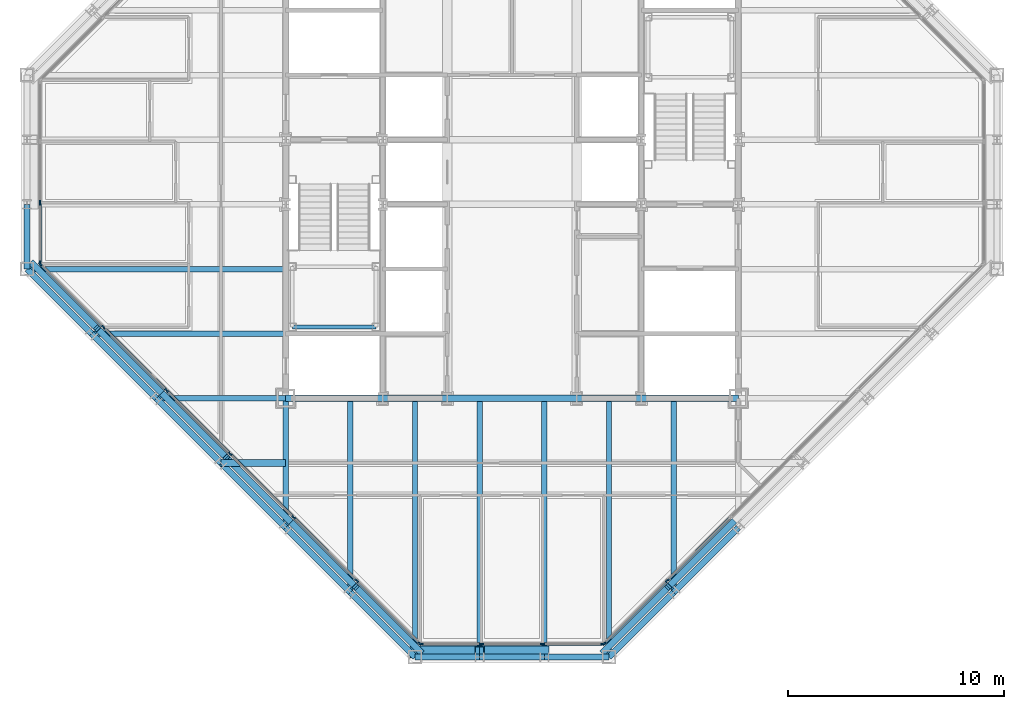
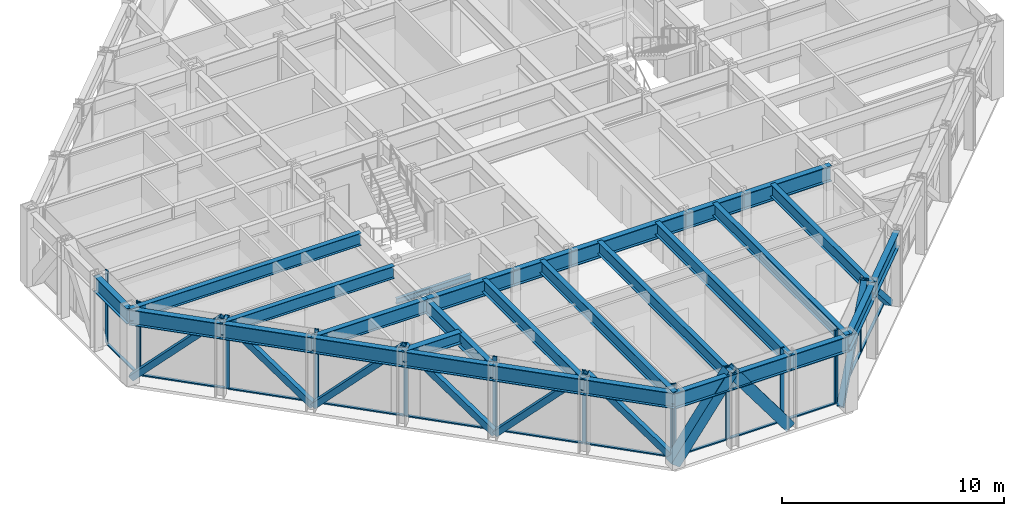
# One storey, part 5 of 15: 37 members, 29 beams, 4 elements without a shape of their own.
"""IFC4 building model written with IfcOpenShell, lengths in metres."""

from ifc_helpers import new_model, si_unit, direction, frame, origin, origin_2d, place, context, subcontext, project, spatial, rectangle, hollow_rectangle, i_section, extrude, material, layer, layer_set, material_profile, profile_set, type_object, element, aggregate, save


model = new_model("IFC4")

# Units and contexts
model_context = context("Model", 3, precision=1e-05, world=origin(), true_north=direction((0.0, 1.0)))
body_context = subcontext(model_context, "Body", "Model", "MODEL_VIEW")
ifc_project = project(units=[si_unit("LENGTHUNIT", "METRE"), si_unit("AREAUNIT", "SQUARE_METRE"), si_unit("VOLUMEUNIT", "CUBIC_METRE"), si_unit("PLANEANGLEUNIT", "RADIAN"), si_unit("MASSUNIT", "GRAM", prefix="KILO")], contexts=[model_context])

# Site, building, storey
site_placement = place(None, origin())
site = spatial("IfcSite", under=ifc_project, at=site_placement, CompositionType="ELEMENT")
building_placement = place(site_placement, origin())
building = spatial("IfcBuilding", under=site, at=building_placement, Name="Chuquiago Exchange Tower", CompositionType="ELEMENT")
storey_placement = place(building_placement, frame((0.0, 0.0, 274.800048828125)))
storey = spatial("IfcBuildingStorey", under=building, at=storey_placement, Name="L61", CompositionType="ELEMENT", Elevation=274.800048828125)

# Beams
ifc_material_1 = material(Name="Steel ASTM A992", Category="steel")
ifc_material_profile_1 = material_profile(ifc_material_1, i_section(OverallWidth=0.25390625, OverallDepth=0.683349609375, WebThickness=0.012451171875, FlangeThickness=0.018798828125, at=origin_2d()), Name="W27X94")
ifc_profile_set_1 = profile_set([ifc_material_profile_1], Name="Steel ASTM A992")
beam_type_1 = type_object("IfcBeamType", Name="B1 W27X94", PredefinedType="BEAM", material=ifc_profile_set_1)
beam_1_placement = place(storey_placement, frame((15.0, 12.0, 3.6982421875), z_axis=(0.0, -1.0, 0.0), x_axis=(1.0, 0.0, 0.0)))
element("IfcBeam", 1, at=beam_1_placement, inside=storey, type_object=beam_type_1, Name="FB-L62-infill-15_12-15_3-0", PredefinedType="BEAM", context=body_context, shape_type="SweptSolid", body=[
    extrude(i_section(OverallWidth=0.25390625, OverallDepth=0.683349609375, WebThickness=0.012451171875, FlangeThickness=0.018798828125, at=origin_2d()), origin(), (0.0, 0.0, 1.0), 9.0),
])
for number, where, z_axis, x_axis, name in (
    (2, (18.0, 12.0, 3.6982421875), (0.0, -1.0, 0.0), (1.0, 0.0, 0.0), "FB-L62-infill-18_12-18_-0-0"),
    (3, (21.0, 12.0, 3.6982421875), (0.0, -1.0, 0.0), (1.0, 0.0, 0.0), "FB-L62-infill-21_12-21_-0-0"),
    (4, (24.0, 12.0, 3.6982421875), (0.0, -1.0, 0.0), (1.0, 0.0, 0.0), "FB-L62-infill-24_12-24_-0-0"),
    (5, (27.0, 12.0, 3.6982421875), (0.0, -1.0, 0.0), (1.0, 0.0, 0.0), "FB-L62-infill-27_12-27_-0-0"),
):
    element("IfcBeam", number, at=place(storey_placement, frame(where, z_axis=z_axis, x_axis=x_axis)), inside=storey, type_object=beam_type_1, Name=name, PredefinedType="BEAM", context=body_context, shape_type="SweptSolid", body=[
        extrude(i_section(OverallWidth=0.25390625, OverallDepth=0.683349609375, WebThickness=0.012451171875, FlangeThickness=0.018798828125, at=origin_2d()), origin(), (0.0, 0.0, 1.0), 12.0),
    ])
for number, where, z_axis, x_axis, name in (
    (6, (30.0, 12.0, 3.6982421875), (0.0, -1.0, 0.0), (1.0, 0.0, 0.0), "FB-L62-infill-30_12-30_3-0"),
    (7, (12.0, 15.0, 3.6982421875), (-1.0, 0.0, 0.0), (0.0, -1.0, 0.0), "FB-L62-infill-12_15-3_15-0"),
):
    element("IfcBeam", number, at=place(storey_placement, frame(where, z_axis=z_axis, x_axis=x_axis)), inside=storey, type_object=beam_type_1, Name=name, PredefinedType="BEAM", context=body_context, shape_type="SweptSolid", body=[
        extrude(i_section(OverallWidth=0.25390625, OverallDepth=0.683349609375, WebThickness=0.012451171875, FlangeThickness=0.018798828125, at=origin_2d()), origin(), (0.0, 0.0, 1.0), 9.0),
    ])
beam_2_placement = place(storey_placement, frame((12.0, 18.0, 3.6982421875), z_axis=(-1.0, 0.0, 0.0), x_axis=(0.0, -1.0, 0.0)))
element("IfcBeam", 8, at=beam_2_placement, inside=storey, type_object=beam_type_1, Name="FB-L62-infill-12_18--0_18-0", PredefinedType="BEAM", context=body_context, shape_type="SweptSolid", body=[
    extrude(i_section(OverallWidth=0.25390625, OverallDepth=0.683349609375, WebThickness=0.012451171875, FlangeThickness=0.018798828125, at=origin_2d()), origin(), (0.0, 0.0, 1.0), 12.0),
])
ifc_material_2 = material(Name="Steel ASTM A992", Category="steel")
ifc_material_profile_2 = material_profile(ifc_material_2, i_section(OverallWidth=0.3251953125, OverallDepth=0.612060546875, WebThickness=0.0126953125, FlangeThickness=0.01904296875, at=origin_2d()), Name="W24X104")
ifc_profile_set_2 = profile_set([ifc_material_profile_2], Name="Steel ASTM A992")
beam_type_2 = type_object("IfcBeamType", Name="B2 W24X104", PredefinedType="BEAM", material=ifc_profile_set_2)
beam_3_placement = place(storey_placement, frame((12.0, 9.0, 3.73388671875), z_axis=(-1.0, 0.0, 0.0), x_axis=(0.0, -1.0, 0.0)))
element("IfcBeam", 9, at=beam_3_placement, inside=storey, type_object=beam_type_2, Name="FB-L62-corner-12_9-9_9-0", PredefinedType="BEAM", context=body_context, shape_type="SweptSolid", body=[
    extrude(i_section(OverallWidth=0.3251953125, OverallDepth=0.612060546875, WebThickness=0.0126953125, FlangeThickness=0.01904296875, at=origin_2d()), origin(), (0.0, 0.0, 1.0), 3.0),
])
ifc_material_3 = material(Name="Steel ASTM A992", Category="steel")
ifc_material_profile_3 = material_profile(ifc_material_3, i_section(OverallWidth=0.2919921875, OverallDepth=0.8583984375, WebThickness=0.01708984375, FlangeThickness=0.031005859375, at=origin_2d()), Name="W33X169")
ifc_profile_set_3 = profile_set([ifc_material_profile_3], Name="Steel ASTM A992")
beam_type_3 = type_object("IfcBeamType", Name="B3 W33X169", PredefinedType="BEAM", material=ifc_profile_set_3)
beam_4_placement = place(storey_placement, frame((12.0, 12.0, 3.610595703125), z_axis=(1.0, 0.0, 0.0), x_axis=(0.0, 1.0, 0.0)))
element("IfcBeam", 10, at=beam_4_placement, inside=storey, type_object=beam_type_3, Name="CB-L62-12_12-16.5_12", PredefinedType="BEAM", context=body_context, shape_type="SweptSolid", body=[
    extrude(i_section(OverallWidth=0.2919921875, OverallDepth=0.8583984375, WebThickness=0.01708984375, FlangeThickness=0.031005859375, at=origin_2d()), origin(), (0.0, 0.0, 1.0), 4.5),
])
beam_5_placement = place(storey_placement, frame((16.5, 12.0, 3.610595703125), z_axis=(1.0, 0.0, 0.0), x_axis=(0.0, 1.0, 0.0)))
element("IfcBeam", 11, at=beam_5_placement, inside=storey, type_object=beam_type_3, Name="CB-L62-16.5_12-19.5_12", PredefinedType="BEAM", context=body_context, shape_type="SweptSolid", body=[
    extrude(i_section(OverallWidth=0.2919921875, OverallDepth=0.8583984375, WebThickness=0.01708984375, FlangeThickness=0.031005859375, at=origin_2d()), origin(), (0.0, 0.0, 1.0), 3.0),
])
beam_6_placement = place(storey_placement, frame((19.5, 12.0, 3.610595703125), z_axis=(1.0, 0.0, 0.0), x_axis=(0.0, 1.0, 0.0)))
element("IfcBeam", 12, at=beam_6_placement, inside=storey, type_object=beam_type_3, Name="CB-L62-19.5_12-25.5_12", PredefinedType="BEAM", context=body_context, shape_type="SweptSolid", body=[
    extrude(i_section(OverallWidth=0.2919921875, OverallDepth=0.8583984375, WebThickness=0.01708984375, FlangeThickness=0.031005859375, at=origin_2d()), origin(), (0.0, 0.0, 1.0), 6.0),
])
beam_7_placement = place(storey_placement, frame((25.5, 12.0, 3.610595703125), z_axis=(1.0, 0.0, 0.0), x_axis=(0.0, 1.0, 0.0)))
element("IfcBeam", 13, at=beam_7_placement, inside=storey, type_object=beam_type_3, Name="CB-L62-25.5_12-28.5_12", PredefinedType="BEAM", context=body_context, shape_type="SweptSolid", body=[
    extrude(i_section(OverallWidth=0.2919921875, OverallDepth=0.8583984375, WebThickness=0.01708984375, FlangeThickness=0.031005859375, at=origin_2d()), origin(), (0.0, 0.0, 1.0), 3.0),
])
beam_8_placement = place(storey_placement, frame((28.5, 12.0, 3.610595703125), z_axis=(1.0, 0.0, 0.0), x_axis=(0.0, 1.0, 0.0)))
element("IfcBeam", 14, at=beam_8_placement, inside=storey, type_object=beam_type_3, Name="CB-L62-28.5_12-33_12", PredefinedType="BEAM", context=body_context, shape_type="SweptSolid", body=[
    extrude(i_section(OverallWidth=0.2919921875, OverallDepth=0.8583984375, WebThickness=0.01708984375, FlangeThickness=0.031005859375, at=origin_2d()), origin(), (0.0, 0.0, 1.0), 4.5),
])

# Curtain wall, members
ifc_material_4 = material(Name="Aluminium curtain wall system", Category="aluminium")
ifc_layer_1 = layer(ifc_material_4, 0.22509765625)
ifc_layer_set_1 = layer_set([ifc_layer_1], Name="CW2 office curtain wall")
curtain_wall_type_1 = type_object("IfcCurtainWallType", Name="CW2 office curtain wall", PredefinedType="NOTDEFINED", material=ifc_layer_set_1)
curtain_wall_1_placement = place(storey_placement, origin())
curtain_wall_1 = element("IfcCurtainWall", 15, at=curtain_wall_1_placement, inside=storey, type_object=curtain_wall_type_1, Name="CW2 curtain wall L61", PredefinedType="NOTDEFINED")
ifc_material_5 = material(Name="Aluminium mullion, pale anodised", Category="aluminium")
ifc_material_profile_4 = material_profile(ifc_material_5, rectangle(XDim=0.06494140625, YDim=0.22509765625, at=origin_2d()), Name="AL 65x225")
ifc_profile_set_4 = profile_set([ifc_material_profile_4], Name="Aluminium mullion, pale anodised")
member_type_1 = type_object("IfcMemberType", Name="CW2-M mullion 65x225", PredefinedType="MULLION", material=ifc_profile_set_4)
member_1_placement = place(storey_placement, frame((18.281005859375, 0.60009765625, 0.0), z_axis=(0.0, 0.0, 1.0), x_axis=(0.0, 1.0, 0.0)))
member_1 = element("IfcMember", 16, at=member_1_placement, type_object=member_type_1, Name="CW2 mullion 1", PredefinedType="MULLION", context=body_context, shape_type="SweptSolid", body=[
    extrude(rectangle(XDim=0.06494140625, YDim=0.22509765625, at=origin_2d()), origin(), (0.0, 0.0, 1.0), 4.0400390625),
])
member_2_placement = place(storey_placement, frame((21.082763671875, 0.60009765625, 0.0), z_axis=(0.0, 0.0, 1.0), x_axis=(0.0, 1.0, 0.0)))
member_2 = element("IfcMember", 17, at=member_2_placement, type_object=member_type_1, Name="CW2 mullion 2", PredefinedType="MULLION", context=body_context, shape_type="SweptSolid", body=[
    extrude(rectangle(XDim=0.06494140625, YDim=0.22509765625, at=origin_2d()), origin(), (0.0, 0.0, 1.0), 4.0400390625),
])
member_3_placement = place(storey_placement, frame((23.917236328125, 0.60009765625, 0.0), z_axis=(0.0, 0.0, 1.0), x_axis=(0.0, 1.0, 0.0)))
member_3 = element("IfcMember", 18, at=member_3_placement, type_object=member_type_1, Name="CW2 mullion 3", PredefinedType="MULLION", context=body_context, shape_type="SweptSolid", body=[
    extrude(rectangle(XDim=0.06494140625, YDim=0.22509765625, at=origin_2d()), origin(), (0.0, 0.0, 1.0), 4.0400390625),
])
member_4_placement = place(storey_placement, frame((26.718994140625, 0.60009765625, 0.0), z_axis=(0.0, 0.0, 1.0), x_axis=(0.0, 1.0, 0.0)))
member_4 = element("IfcMember", 19, at=member_4_placement, type_object=member_type_1, Name="CW2 mullion 4", PredefinedType="MULLION", context=body_context, shape_type="SweptSolid", body=[
    extrude(rectangle(XDim=0.06494140625, YDim=0.22509765625, at=origin_2d()), origin(), (0.0, 0.0, 1.0), 4.0400390625),
])

curtain_wall_2_placement = place(storey_placement, origin())
curtain_wall_2 = element("IfcCurtainWall", 20, at=curtain_wall_2_placement, inside=storey, type_object=curtain_wall_type_1, Name="CW2 curtain wall L61", PredefinedType="NOTDEFINED")
member_5_placement = place(storey_placement, frame((0.60009765625, 21.082763671875, 0.0), z_axis=(0.0, 0.0, 1.0), x_axis=(1.0, 0.0, 0.0)))
member_5 = element("IfcMember", 21, at=member_5_placement, type_object=member_type_1, Name="CW2 mullion 3", PredefinedType="MULLION", context=body_context, shape_type="SweptSolid", body=[
    extrude(rectangle(XDim=0.06494140625, YDim=0.22509765625, at=origin_2d()), origin(), (0.0, 0.0, 1.0), 4.0400390625),
])
member_6_placement = place(storey_placement, frame((0.60009765625, 18.281005859375, 0.0), z_axis=(0.0, 0.0, 1.0), x_axis=(1.0, 0.0, 0.0)))
member_6 = element("IfcMember", 22, at=member_6_placement, type_object=member_type_1, Name="CW2 mullion 4", PredefinedType="MULLION", context=body_context, shape_type="SweptSolid", body=[
    extrude(rectangle(XDim=0.06494140625, YDim=0.22509765625, at=origin_2d()), origin(), (0.0, 0.0, 1.0), 4.0400390625),
])

# Member
ifc_material_6 = material(Name="Aluminium transom, pale anodised", Category="aluminium")
ifc_material_profile_5 = material_profile(ifc_material_6, rectangle(XDim=0.139892578125, YDim=0.06494140625, at=origin_2d()), Name="AL 140x65")
ifc_profile_set_5 = profile_set([ifc_material_profile_5], Name="Aluminium transom, pale anodised")
member_type_2 = type_object("IfcMemberType", Name="CW2-T transom 65x140", PredefinedType="MULLION", material=ifc_profile_set_5)
member_7_placement = place(storey_placement, frame((18.3134765625, 0.60009765625, 0.032470703125), z_axis=(1.0, 0.0, 0.0), x_axis=(0.0, 1.0, 0.0)))
member_7 = element("IfcMember", 23, at=member_7_placement, type_object=member_type_2, Name="CW2 transom 1.1", PredefinedType="MULLION", context=body_context, shape_type="SweptSolid", body=[
    extrude(rectangle(XDim=0.139892578125, YDim=0.06494140625, at=origin_2d()), origin(), (0.0, 0.0, 1.0), 2.73681640625),
])

member_8_placement = place(storey_placement, frame((21.115234375, 0.60009765625, 0.032470703125), z_axis=(1.0, 0.0, 0.0), x_axis=(0.0, 1.0, 0.0)))
member_8 = element("IfcMember", 24, at=member_8_placement, type_object=member_type_2, Name="CW2 transom 2.1", PredefinedType="MULLION", context=body_context, shape_type="SweptSolid", body=[
    extrude(rectangle(XDim=0.139892578125, YDim=0.06494140625, at=origin_2d()), origin(), (0.0, 0.0, 1.0), 2.76953125),
])

member_9_placement = place(storey_placement, frame((23.94970703125, 0.60009765625, 0.032470703125), z_axis=(1.0, 0.0, 0.0), x_axis=(0.0, 1.0, 0.0)))
member_9 = element("IfcMember", 25, at=member_9_placement, type_object=member_type_2, Name="CW2 transom 3.1", PredefinedType="MULLION", context=body_context, shape_type="SweptSolid", body=[
    extrude(rectangle(XDim=0.139892578125, YDim=0.06494140625, at=origin_2d()), origin(), (0.0, 0.0, 1.0), 2.73681640625),
])

aggregate(curtain_wall_1, [member_1, member_2, member_3, member_4, member_7, member_8, member_9])

member_10_placement = place(storey_placement, frame((0.60009765625, 21.05029296875, 0.032470703125), z_axis=(0.0, -1.0, 0.0), x_axis=(1.0, 0.0, 0.0)))
member_10 = element("IfcMember", 26, at=member_10_placement, type_object=member_type_2, Name="CW2 transom 3.1", PredefinedType="MULLION", context=body_context, shape_type="SweptSolid", body=[
    extrude(rectangle(XDim=0.139892578125, YDim=0.06494140625, at=origin_2d()), origin(), (0.0, 0.0, 1.0), 2.73681640625),
])

aggregate(curtain_wall_2, [member_5, member_6, member_10])

# Curtain wall, members
ifc_material_7 = material(Name="Aluminium curtain wall system", Category="aluminium")
ifc_layer_2 = layer(ifc_material_7, 0.199951171875)
ifc_layer_set_2 = layer_set([ifc_layer_2], Name="CW3 facet curtain wall")
curtain_wall_type_2 = type_object("IfcCurtainWallType", Name="CW3 facet curtain wall", PredefinedType="NOTDEFINED", material=ifc_layer_set_2)
curtain_wall_3_placement = place(storey_placement, origin())
curtain_wall_3 = element("IfcCurtainWall", 27, at=curtain_wall_3_placement, inside=storey, type_object=curtain_wall_type_2, Name="CW3 curtain wall L61", PredefinedType="NOTDEFINED")
ifc_material_8 = material(Name="Aluminium mullion, pale anodised", Category="aluminium")
ifc_material_profile_6 = material_profile(ifc_material_8, rectangle(XDim=0.06494140625, YDim=0.199951171875, at=origin_2d()), Name="AL 65x200")
ifc_profile_set_6 = profile_set([ifc_material_profile_6], Name="Aluminium mullion, pale anodised")
member_type_3 = type_object("IfcMemberType", Name="CW3-M mullion 65x200", PredefinedType="MULLION", material=ifc_profile_set_6)
member_11_placement = place(storey_placement, frame((26.7744140625, 0.623046875, 0.0), z_axis=(0.0, 0.0, 1.0), x_axis=(-0.707106781187, 0.707106781187, 0.0)))
member_11 = element("IfcMember", 28, at=member_11_placement, type_object=member_type_3, Name="CW3 mullion 1", PredefinedType="MULLION", context=body_context, shape_type="SweptSolid", body=[
    extrude(rectangle(XDim=0.06494140625, YDim=0.199951171875, at=origin_2d()), origin(), (0.0, 0.0, 1.0), 4.0400390625),
])
member_12_placement = place(storey_placement, frame((29.69287109375, 3.54150390625, 0.0), z_axis=(0.0, 0.0, 1.0), x_axis=(-0.707106781187, 0.707106781187, 0.0)))
member_12 = element("IfcMember", 29, at=member_12_placement, type_object=member_type_3, Name="CW3 mullion 2", PredefinedType="MULLION", context=body_context, shape_type="SweptSolid", body=[
    extrude(rectangle(XDim=0.06494140625, YDim=0.199951171875, at=origin_2d()), origin(), (0.0, 0.0, 1.0), 4.0400390625),
])

curtain_wall_4_placement = place(storey_placement, origin())
curtain_wall_4 = element("IfcCurtainWall", 30, at=curtain_wall_4_placement, inside=storey, type_object=curtain_wall_type_2, Name="CW3 curtain wall L61", PredefinedType="NOTDEFINED")
member_13_placement = place(storey_placement, frame((0.623046875, 18.2255859375, 0.0), z_axis=(0.0, 0.0, 1.0), x_axis=(0.707106781187, 0.707106781187, 0.0)))
member_13 = element("IfcMember", 31, at=member_13_placement, type_object=member_type_3, Name="CW3 mullion 1", PredefinedType="MULLION", context=body_context, shape_type="SweptSolid", body=[
    extrude(rectangle(XDim=0.06494140625, YDim=0.199951171875, at=origin_2d()), origin(), (0.0, 0.0, 1.0), 4.0400390625),
])
member_14_placement = place(storey_placement, frame((3.54150390625, 15.30712890625, 0.0), z_axis=(0.0, 0.0, 1.0), x_axis=(0.707106781187, 0.707106781187, 0.0)))
member_14 = element("IfcMember", 32, at=member_14_placement, type_object=member_type_3, Name="CW3 mullion 2", PredefinedType="MULLION", context=body_context, shape_type="SweptSolid", body=[
    extrude(rectangle(XDim=0.06494140625, YDim=0.199951171875, at=origin_2d()), origin(), (0.0, 0.0, 1.0), 4.0400390625),
])
member_15_placement = place(storey_placement, frame((6.48291015625, 12.36572265625, 0.0), z_axis=(0.0, 0.0, 1.0), x_axis=(0.707106781187, 0.707106781187, 0.0)))
member_15 = element("IfcMember", 33, at=member_15_placement, type_object=member_type_3, Name="CW3 mullion 3", PredefinedType="MULLION", context=body_context, shape_type="SweptSolid", body=[
    extrude(rectangle(XDim=0.06494140625, YDim=0.199951171875, at=origin_2d()), origin(), (0.0, 0.0, 1.0), 4.0400390625),
])
member_16_placement = place(storey_placement, frame((9.42431640625, 9.42431640625, 0.0), z_axis=(0.0, 0.0, 1.0), x_axis=(0.707106781187, 0.707106781187, 0.0)))
member_16 = element("IfcMember", 34, at=member_16_placement, type_object=member_type_3, Name="CW3 mullion 4", PredefinedType="MULLION", context=body_context, shape_type="SweptSolid", body=[
    extrude(rectangle(XDim=0.06494140625, YDim=0.199951171875, at=origin_2d()), origin(), (0.0, 0.0, 1.0), 4.0400390625),
])
member_17_placement = place(storey_placement, frame((12.36572265625, 6.48291015625, 0.0), z_axis=(0.0, 0.0, 1.0), x_axis=(0.707106781187, 0.707106781187, 0.0)))
member_17 = element("IfcMember", 35, at=member_17_placement, type_object=member_type_3, Name="CW3 mullion 5", PredefinedType="MULLION", context=body_context, shape_type="SweptSolid", body=[
    extrude(rectangle(XDim=0.06494140625, YDim=0.199951171875, at=origin_2d()), origin(), (0.0, 0.0, 1.0), 4.0400390625),
])
member_18_placement = place(storey_placement, frame((15.30712890625, 3.54150390625, 0.0), z_axis=(0.0, 0.0, 1.0), x_axis=(0.707106781187, 0.707106781187, 0.0)))
member_18 = element("IfcMember", 36, at=member_18_placement, type_object=member_type_3, Name="CW3 mullion 6", PredefinedType="MULLION", context=body_context, shape_type="SweptSolid", body=[
    extrude(rectangle(XDim=0.06494140625, YDim=0.199951171875, at=origin_2d()), origin(), (0.0, 0.0, 1.0), 4.0400390625),
])
member_19_placement = place(storey_placement, frame((18.2255859375, 0.623046875, 0.0), z_axis=(0.0, 0.0, 1.0), x_axis=(0.707106781187, 0.707106781187, 0.0)))
member_19 = element("IfcMember", 37, at=member_19_placement, type_object=member_type_3, Name="CW3 mullion 7", PredefinedType="MULLION", context=body_context, shape_type="SweptSolid", body=[
    extrude(rectangle(XDim=0.06494140625, YDim=0.199951171875, at=origin_2d()), origin(), (0.0, 0.0, 1.0), 4.0400390625),
])

# Member
ifc_material_9 = material(Name="Aluminium transom, pale anodised", Category="aluminium")
ifc_material_profile_7 = material_profile(ifc_material_9, rectangle(XDim=0.139892578125, YDim=0.06494140625, at=origin_2d()), Name="AL 140x65")
ifc_profile_set_7 = profile_set([ifc_material_profile_7], Name="Aluminium transom, pale anodised")
member_type_4 = type_object("IfcMemberType", Name="CW3-T transom 65x140", PredefinedType="MULLION", material=ifc_profile_set_7)
member_20_placement = place(storey_placement, frame((26.79736328125, 0.64599609375, 0.032470703125), z_axis=(0.707106781187, 0.707106781187, 0.0), x_axis=(-0.707106781187, 0.707106781187, 0.0)))
member_20 = element("IfcMember", 38, at=member_20_placement, type_object=member_type_4, Name="CW3 transom 1.1", PredefinedType="MULLION", context=body_context, shape_type="SweptSolid", body=[
    extrude(rectangle(XDim=0.139892578125, YDim=0.06494140625, at=origin_2d()), origin(), (0.0, 0.0, 1.0), 4.0625),
])

member_21_placement = place(storey_placement, frame((29.7158203125, 3.564453125, 0.032470703125), z_axis=(0.707106781187, 0.707106781187, 0.0), x_axis=(-0.707106781187, 0.707106781187, 0.0)))
member_21 = element("IfcMember", 39, at=member_21_placement, type_object=member_type_4, Name="CW3 transom 2.1", PredefinedType="MULLION", context=body_context, shape_type="SweptSolid", body=[
    extrude(rectangle(XDim=0.139892578125, YDim=0.06494140625, at=origin_2d()), origin(), (0.0, 0.0, 1.0), 4.094970703125),
])

aggregate(curtain_wall_3, [member_11, member_12, member_20, member_21])

member_22_placement = place(storey_placement, frame((0.64599609375, 18.20263671875, 0.032470703125), z_axis=(0.707106781187, -0.707106781187, 0.0), x_axis=(0.707106781187, 0.707106781187, 0.0)))
member_22 = element("IfcMember", 40, at=member_22_placement, type_object=member_type_4, Name="CW3 transom 1.1", PredefinedType="MULLION", context=body_context, shape_type="SweptSolid", body=[
    extrude(rectangle(XDim=0.139892578125, YDim=0.06494140625, at=origin_2d()), origin(), (0.0, 0.0, 1.0), 4.0625),
])

member_23_placement = place(storey_placement, frame((3.564453125, 15.2841796875, 0.032470703125), z_axis=(0.707106781187, -0.707106781187, 0.0), x_axis=(0.707106781187, 0.707106781187, 0.0)))
member_23 = element("IfcMember", 41, at=member_23_placement, type_object=member_type_4, Name="CW3 transom 2.1", PredefinedType="MULLION", context=body_context, shape_type="SweptSolid", body=[
    extrude(rectangle(XDim=0.139892578125, YDim=0.06494140625, at=origin_2d()), origin(), (0.0, 0.0, 1.0), 4.094970703125),
])

member_24_placement = place(storey_placement, frame((6.505859375, 12.3427734375, 0.032470703125), z_axis=(0.707106781187, -0.707106781187, 0.0), x_axis=(0.707106781187, 0.707106781187, 0.0)))
member_24 = element("IfcMember", 42, at=member_24_placement, type_object=member_type_4, Name="CW3 transom 3.1", PredefinedType="MULLION", context=body_context, shape_type="SweptSolid", body=[
    extrude(rectangle(XDim=0.139892578125, YDim=0.06494140625, at=origin_2d()), origin(), (0.0, 0.0, 1.0), 4.094970703125),
])

member_25_placement = place(storey_placement, frame((9.447265625, 9.4013671875, 0.032470703125), z_axis=(0.707106781187, -0.707106781187, 0.0), x_axis=(0.707106781187, 0.707106781187, 0.0)))
member_25 = element("IfcMember", 43, at=member_25_placement, type_object=member_type_4, Name="CW3 transom 4.1", PredefinedType="MULLION", context=body_context, shape_type="SweptSolid", body=[
    extrude(rectangle(XDim=0.139892578125, YDim=0.06494140625, at=origin_2d()), origin(), (0.0, 0.0, 1.0), 4.094970703125),
])

member_26_placement = place(storey_placement, frame((12.388671875, 6.4599609375, 0.032470703125), z_axis=(0.707106781187, -0.707106781187, 0.0), x_axis=(0.707106781187, 0.707106781187, 0.0)))
member_26 = element("IfcMember", 44, at=member_26_placement, type_object=member_type_4, Name="CW3 transom 5.1", PredefinedType="MULLION", context=body_context, shape_type="SweptSolid", body=[
    extrude(rectangle(XDim=0.139892578125, YDim=0.06494140625, at=origin_2d()), origin(), (0.0, 0.0, 1.0), 4.094970703125),
])

member_27_placement = place(storey_placement, frame((15.330078125, 3.5185546875, 0.032470703125), z_axis=(0.707106781187, -0.707106781187, 0.0), x_axis=(0.707106781187, 0.707106781187, 0.0)))
member_27 = element("IfcMember", 45, at=member_27_placement, type_object=member_type_4, Name="CW3 transom 6.1", PredefinedType="MULLION", context=body_context, shape_type="SweptSolid", body=[
    extrude(rectangle(XDim=0.139892578125, YDim=0.06494140625, at=origin_2d()), origin(), (0.0, 0.0, 1.0), 4.0625),
])

aggregate(curtain_wall_4, [member_13, member_14, member_15, member_16, member_17, member_18, member_19, member_22, member_23, member_24, member_25, member_26, member_27])

# Beams
ifc_material_10 = material(Name="Steel ASTM A992", Category="steel")
ifc_material_profile_8 = material_profile(ifc_material_10, i_section(OverallWidth=0.2666015625, OverallDepth=0.76953125, WebThickness=0.015625, FlangeThickness=0.025390625, at=origin_2d()), Name="W30X132")
ifc_profile_set_8 = profile_set([ifc_material_profile_8], Name="Steel ASTM A992")
beam_type_4 = type_object("IfcBeamType", Name="G1 W30X132", PredefinedType="BEAM", material=ifc_profile_set_8)
for number, where, z_axis, x_axis, name in (
    (46, (12.0, 12.0, 3.655029296875), (0.0, -1.0, 0.0), (1.0, 0.0, 0.0), "FB-L62-girder-12_12-12_6-0"),
    (47, (12.0, 12.0, 3.655029296875), (-1.0, 0.0, 0.0), (0.0, -1.0, 0.0), "FB-L62-girder-12_12-6_12-0"),
):
    element("IfcBeam", number, at=place(storey_placement, frame(where, z_axis=z_axis, x_axis=x_axis)), inside=storey, type_object=beam_type_4, Name=name, PredefinedType="BEAM", context=body_context, shape_type="SweptSolid", body=[
        extrude(i_section(OverallWidth=0.2666015625, OverallDepth=0.76953125, WebThickness=0.015625, FlangeThickness=0.025390625, at=origin_2d()), origin(), (0.0, 0.0, 1.0), 6.0),
    ])

# Members
ifc_material_11 = material(Name="Steel ASTM A500 Grade C", Category="steel")
ifc_material_profile_9 = material_profile(ifc_material_11, hollow_rectangle(XDim=0.3046875, YDim=0.3046875, WallThickness=0.0146484375, at=origin_2d()), Name="HSS12X12X5/8")
ifc_profile_set_9 = profile_set([ifc_material_profile_9], Name="Steel ASTM A500 Grade C")
member_type_5 = type_object("IfcMemberType", Name="LB3 HSS12X12X5/8", PredefinedType="BRACE", material=ifc_profile_set_9)
for number, where, z_axis, x_axis, name in (
    (48, (26.750732421875, 0.249267578125, 0.0), (0.512077265487, 0.512077265487, 0.689604051861), (-0.707106781187, 0.707106781187, 0.0), "LB-L61-27_0-30_3"),
    (49, (32.750732421875, 6.249267578125, 0.0), (-0.512077265487, -0.512077265487, 0.689604051861), (0.707106781187, -0.707106781187, 0.0), "LB-L61-30_3-33_6"),
    (50, (0.249267578125, 18.249267578125, 0.0), (0.512077265487, -0.512077265487, 0.689604051861), (0.707106781187, 0.707106781187, 0.0), "LB-L61-0_18-3_15"),
    (51, (6.249267578125, 12.249267578125, 0.0), (-0.512077265487, 0.512077265487, 0.689604051861), (-0.707106781187, -0.707106781187, 0.0), "LB-L61-3_15-6_12"),
    (52, (6.249267578125, 12.249267578125, 0.0), (0.512077265487, -0.512077265487, 0.689604051861), (0.707106781187, 0.707106781187, 0.0), "LB-L61-6_12-9_9"),
    (53, (12.249267578125, 6.249267578125, 0.0), (-0.512077265487, 0.512077265487, 0.689604051861), (-0.707106781187, -0.707106781187, 0.0), "LB-L61-9_9-12_6"),
    (54, (12.249267578125, 6.249267578125, 0.0), (0.512077265487, -0.512077265487, 0.689604051861), (0.707106781187, 0.707106781187, 0.0), "LB-L61-12_6-15_3"),
    (55, (18.249267578125, 0.249267578125, 0.0), (-0.512077265487, 0.512077265487, 0.689604051861), (-0.707106781187, -0.707106781187, 0.0), "LB-L61-15_3-18_0"),
):
    element("IfcMember", number, at=place(storey_placement, frame(where, z_axis=z_axis, x_axis=x_axis)), inside=storey, type_object=member_type_5, Name=name, PredefinedType="BRACE", context=body_context, shape_type="SweptSolid", body=[
        extrude(hollow_rectangle(XDim=0.3046875, YDim=0.3046875, WallThickness=0.0146484375, at=origin_2d()), origin(), (0.0, 0.0, 1.0), 5.8583984375),
    ])

# Beam
ifc_material_12 = material(Name="Steel ASTM A992", Category="steel")
ifc_material_profile_10 = material_profile(ifc_material_12, i_section(OverallWidth=0.164794921875, OverallDepth=0.309814453125, WebThickness=0.005859375, FlangeThickness=0.009765625, at=origin_2d()), Name="W12X26")
ifc_profile_set_10 = profile_set([ifc_material_profile_10], Name="Steel ASTM A992")
beam_type_5 = type_object("IfcBeamType", Name="LT1 W12X26", PredefinedType="BEAM", material=ifc_profile_set_10)
beam_9_placement = place(storey_placement, frame((12.31005859375, 15.31005859375, 1.7451171875), z_axis=(1.0, 0.0, 0.0), x_axis=(0.0, 1.0, 0.0)))
element("IfcBeam", 56, at=beam_9_placement, inside=storey, type_object=beam_type_5, Name="Stair ST1 L61 landing 1 trimmer", PredefinedType="BEAM", context=body_context, shape_type="SweptSolid", body=[
    extrude(i_section(OverallWidth=0.164794921875, OverallDepth=0.309814453125, WebThickness=0.005859375, FlangeThickness=0.009765625, at=origin_2d()), origin(), (0.0, 0.0, 1.0), 3.8798828125),
])

# Members
ifc_material_13 = material(Name="Steel ASTM A572 Grade 50", Category="steel")
ifc_material_profile_11 = material_profile(ifc_material_13, hollow_rectangle(XDim=0.550048828125, YDim=0.550048828125, WallThickness=0.044921875, at=origin_2d()), Name="BOX550X550X45")
ifc_profile_set_11 = profile_set([ifc_material_profile_11], Name="Steel ASTM A572 Grade 50")
member_type_6 = type_object("IfcMemberType", Name="MB4 BOX550X550X45", PredefinedType="BRACE", material=ifc_profile_set_11)
for number, where, z_axis, x_axis, name in (
    (57, (18.0, 0.22998046875, 0.0), (0.596173923302, 0.0, 0.802855312728), (0.0, 1.0, 0.0), "Mega diagonal L61 S face"),
    (58, (24.0, 0.22998046875, 0.0), (-0.596173923302, 0.0, 0.802855312728), (0.0, -1.0, 0.0), "Mega diagonal L61 S face"),
):
    element("IfcMember", number, at=place(storey_placement, frame(where, z_axis=z_axis, x_axis=x_axis)), inside=storey, type_object=member_type_6, Name=name, PredefinedType="BRACE", context=body_context, shape_type="SweptSolid", body=[
        extrude(hollow_rectangle(XDim=0.550048828125, YDim=0.550048828125, WallThickness=0.044921875, at=origin_2d()), origin(), (0.0, 0.0, 1.0), 5.031982421875),
    ])

# Beams
ifc_material_14 = material(Name="Steel ASTM A992", Category="steel")
ifc_material_profile_12 = material_profile(ifc_material_14, i_section(OverallWidth=0.2919921875, OverallDepth=0.8583984375, WebThickness=0.01708984375, FlangeThickness=0.031005859375, at=origin_2d()), Name="W33X169")
ifc_profile_set_12 = profile_set([ifc_material_profile_12], Name="Steel ASTM A992")
beam_type_6 = type_object("IfcBeamType", Name="SP4 W33X169", PredefinedType="SPANDREL", material=ifc_profile_set_12)
for number, where, z_axis, x_axis, name in (
    (59, (18.0, 0.0, 3.610595703125), (1.0, 0.0, 0.0), (0.0, 1.0, 0.0), "SPB-L62-18_0-21_0"),
    (60, (21.0, 0.0, 3.610595703125), (1.0, 0.0, 0.0), (0.0, 1.0, 0.0), "SPB-L62-21_0-24_0"),
    (61, (24.0, 0.0, 3.610595703125), (1.0, 0.0, 0.0), (0.0, 1.0, 0.0), "SPB-L62-24_0-27_0"),
):
    element("IfcBeam", number, at=place(storey_placement, frame(where, z_axis=z_axis, x_axis=x_axis)), inside=storey, type_object=beam_type_6, Name=name, PredefinedType="SPANDREL", context=body_context, shape_type="SweptSolid", body=[
        extrude(i_section(OverallWidth=0.2919921875, OverallDepth=0.8583984375, WebThickness=0.01708984375, FlangeThickness=0.031005859375, at=origin_2d()), origin(), (0.0, 0.0, 1.0), 3.0),
    ])
for number, where, z_axis, x_axis, name in (
    (62, (27.0, 0.0, 3.610595703125), (0.707106781187, 0.707106781187, 0.0), (-0.707106781187, 0.707106781187, 0.0), "SPB-L62-27_0-30_3"),
    (63, (30.0, 3.0, 3.610595703125), (0.707106781187, 0.707106781187, 0.0), (-0.707106781187, 0.707106781187, 0.0), "SPB-L62-30_3-33_6"),
):
    element("IfcBeam", number, at=place(storey_placement, frame(where, z_axis=z_axis, x_axis=x_axis)), inside=storey, type_object=beam_type_6, Name=name, PredefinedType="SPANDREL", context=body_context, shape_type="SweptSolid", body=[
        extrude(i_section(OverallWidth=0.2919921875, OverallDepth=0.8583984375, WebThickness=0.01708984375, FlangeThickness=0.031005859375, at=origin_2d()), origin(), (0.0, 0.0, 1.0), 4.24267578125),
    ])
beam_10_placement = place(storey_placement, frame((0.0, 21.0, 3.610595703125), z_axis=(0.0, -1.0, 0.0), x_axis=(1.0, 0.0, 0.0)))
element("IfcBeam", 64, at=beam_10_placement, inside=storey, type_object=beam_type_6, Name="SPB-L62-0_21-0_18", PredefinedType="SPANDREL", context=body_context, shape_type="SweptSolid", body=[
    extrude(i_section(OverallWidth=0.2919921875, OverallDepth=0.8583984375, WebThickness=0.01708984375, FlangeThickness=0.031005859375, at=origin_2d()), origin(), (0.0, 0.0, 1.0), 3.0),
])
for number, where, z_axis, x_axis, name in (
    (65, (0.0, 18.0, 3.610595703125), (0.707106781187, -0.707106781187, 0.0), (0.707106781187, 0.707106781187, 0.0), "SPB-L62-0_18-3_15"),
    (66, (3.0, 15.0, 3.610595703125), (0.707106781187, -0.707106781187, 0.0), (0.707106781187, 0.707106781187, 0.0), "SPB-L62-3_15-6_12"),
    (67, (6.0, 12.0, 3.610595703125), (0.707106781187, -0.707106781187, 0.0), (0.707106781187, 0.707106781187, 0.0), "SPB-L62-6_12-9_9"),
    (68, (9.0, 9.0, 3.610595703125), (0.707106781187, -0.707106781187, 0.0), (0.707106781187, 0.707106781187, 0.0), "SPB-L62-9_9-12_6"),
    (69, (12.0, 6.0, 3.610595703125), (0.707106781187, -0.707106781187, 0.0), (0.707106781187, 0.707106781187, 0.0), "SPB-L62-12_6-15_3"),
    (70, (15.0, 3.0, 3.610595703125), (0.707106781187, -0.707106781187, 0.0), (0.707106781187, 0.707106781187, 0.0), "SPB-L62-15_3-18_0"),
):
    element("IfcBeam", number, at=place(storey_placement, frame(where, z_axis=z_axis, x_axis=x_axis)), inside=storey, type_object=beam_type_6, Name=name, PredefinedType="SPANDREL", context=body_context, shape_type="SweptSolid", body=[
        extrude(i_section(OverallWidth=0.2919921875, OverallDepth=0.8583984375, WebThickness=0.01708984375, FlangeThickness=0.031005859375, at=origin_2d()), origin(), (0.0, 0.0, 1.0), 4.24267578125),
    ])

save(model, "model.ifc")
